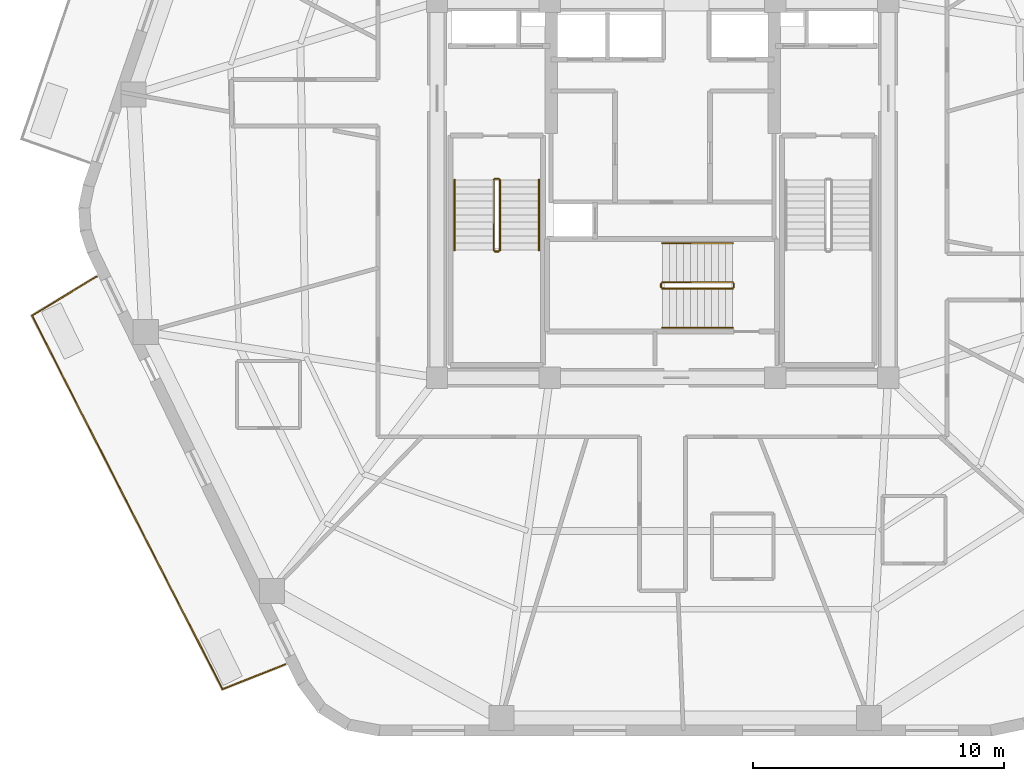
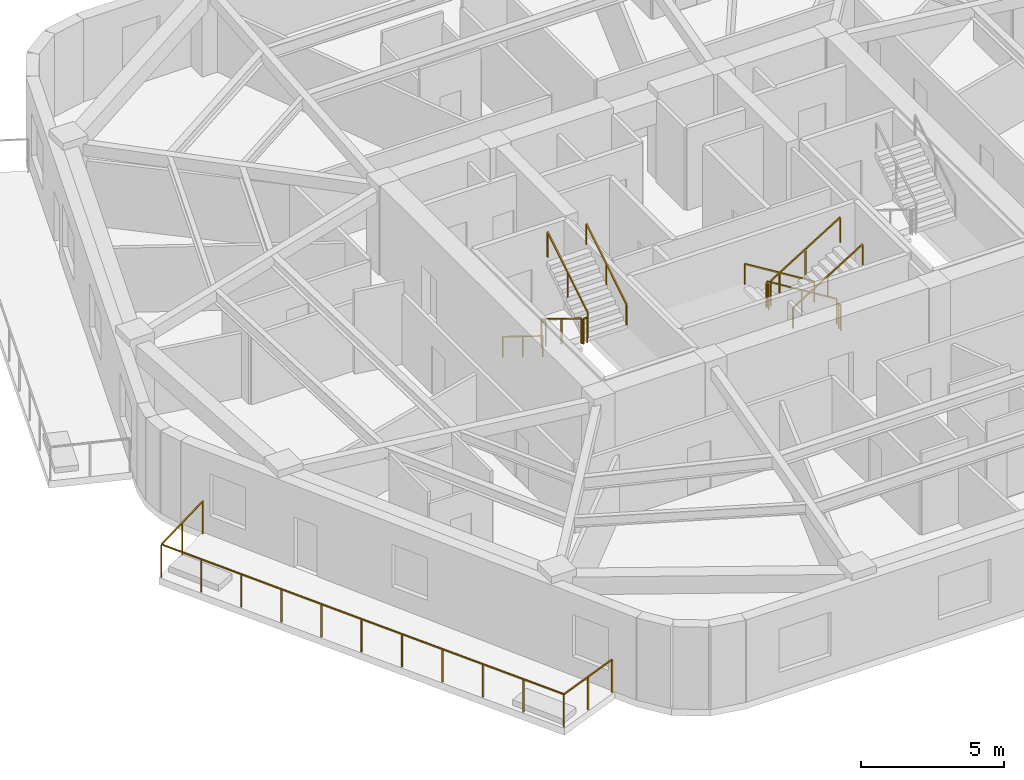
# One storey, part 7 of 9: 13 railings.
"""IFC4 building model written with IfcOpenShell, lengths in metres."""

import ifcopenshell
import ifcopenshell.guid

model = None  # the IFC model being written
_history = None  # IfcOwnerHistory: only IFC2X3 demands one
_inside = {}  # id of a spatial element -> (the spatial element, [elements in it])
_under = {}  # id of a project, library or spatial element -> (it, [spatial elements below it])
_declared = {}  # id of a project -> (the project, [libraries it declares])
_typed = {}  # id of a type object -> (the type object, [elements of that type])
_made_of = {}  # id of a material, layer set ... -> (it, [elements and type objects made of it])


def new_model(schema):
    """Start an empty IFC model of exactly this schema.

    Asked for "IFC4X3", IfcOpenShell would pick the latest addendum, in which some entities
    have other attributes; the version numbers below select the first issue.
    IFC2X3 requires an IfcOwnerHistory on every rooted entity: one is made here for all.
    """
    global model, _history
    if schema == "IFC4X3":
        model = ifcopenshell.file(schema_version=(4, 3, 0, 0))
    else:
        model = ifcopenshell.file(schema=schema)
    _inside.clear()
    _under.clear()
    _declared.clear()
    _typed.clear()
    _made_of.clear()
    _history = None
    if model.schema == "IFC2X3":
        org = make("IfcOrganization", Name="unknown")
        user = make(
            "IfcPersonAndOrganization",
            ThePerson=make("IfcPerson", FamilyName="unknown"),
            TheOrganization=org,
        )
        app = make(
            "IfcApplication",
            ApplicationDeveloper=org,
            Version="unknown",
            ApplicationFullName="unknown",
            ApplicationIdentifier="unknown",
        )
        _history = make(
            "IfcOwnerHistory",
            OwningUser=user,
            OwningApplication=app,
            ChangeAction="ADDED",
            CreationDate=0,
        )
    return model


def make(cls, **values):
    """One entity of the class cls with the attributes given. An attribute that is None is left unset."""
    return model.create_entity(
        cls, **{name: value for name, value in values.items() if value is not None}
    )


def rooted(cls, **values):
    """An entity with a GlobalId (a new one), such as an element, a storey or a relation."""
    return make(cls, GlobalId=ifcopenshell.guid.new(), OwnerHistory=_history, **values)


def si_unit(unit_type, name, prefix=None):
    """IfcSIUnit, for example si_unit("LENGTHUNIT", "METRE", prefix="MILLI")."""
    return make("IfcSIUnit", UnitType=unit_type, Prefix=prefix, Name=name)


def assignment(units):
    """IfcUnitAssignment: the units of a project."""
    return None if units is None else make("IfcUnitAssignment", Units=units)


def point(xyz):
    """IfcCartesianPoint."""
    return None if xyz is None else make("IfcCartesianPoint", Coordinates=xyz)


def direction(xyz):
    """IfcDirection."""
    return None if xyz is None else make("IfcDirection", DirectionRatios=xyz)


def frame(location, z_axis=None, x_axis=None):
    """IfcAxis2Placement3D, a coordinate frame: its origin and axes. An axis left out is left unset."""
    return make(
        "IfcAxis2Placement3D",
        Location=point(location),
        Axis=direction(z_axis),
        RefDirection=direction(x_axis),
    )


def frame_2d(location, x_axis=None):
    """IfcAxis2Placement2D, a coordinate frame in the plane: its origin and x axis."""
    return make(
        "IfcAxis2Placement2D", Location=point(location), RefDirection=direction(x_axis)
    )


def origin():
    """The frame at (0, 0, 0) with its axes left unset."""
    return frame((0.0, 0.0, 0.0))


def origin_2d():
    """The frame at (0, 0) in the plane with its x axis left unset."""
    return frame_2d((0.0, 0.0))


def place(relative_to, where):
    """IfcLocalPlacement: puts the frame where relative to a parent placement (None: the world)."""
    return make(
        "IfcLocalPlacement", PlacementRelTo=relative_to, RelativePlacement=where
    )


def context(
    kind, dimensions, precision=None, world=None, true_north=None, identifier=None
):
    """IfcGeometricRepresentationContext, for example the 3D "Model" context."""
    return make(
        "IfcGeometricRepresentationContext",
        ContextIdentifier=identifier,
        ContextType=kind,
        CoordinateSpaceDimension=dimensions,
        Precision=precision,
        WorldCoordinateSystem=world,
        TrueNorth=true_north,
    )


def subcontext(parent, identifier, kind, view, scale=None):
    """IfcGeometricRepresentationSubContext, for example "Body" below "Model"."""
    return make(
        "IfcGeometricRepresentationSubContext",
        ContextIdentifier=identifier,
        ContextType=kind,
        ParentContext=parent,
        TargetScale=scale,
        TargetView=view,
    )


def project(units=None, contexts=None):
    """IfcProject with its units and contexts."""
    return rooted(
        "IfcProject",
        Name="project",
        RepresentationContexts=contexts,
        UnitsInContext=assignment(units),
    )


def spatial(cls, under=None, at=None, **own):
    """A site, building, storey or space (cls), placed at a placement, below another one or the project."""
    s = rooted(cls, ObjectPlacement=at, **own)
    if under is not None:
        _under.setdefault(under.id(), (under, []))[1].append(s)
    return s


def profile(cls, at=None, kind="AREA", **sizes):
    """A parametric profile (cls). Its sizes go by their IFC names, for example OverallWidth=200.0."""
    return make(cls, ProfileType=kind, Position=at, **sizes)


def rectangle(**sizes):
    """IfcRectangleProfileDef."""
    return profile("IfcRectangleProfileDef", **sizes)


def extrude(swept, where, along, depth):
    """IfcExtrudedAreaSolid: the profile swept, set in the frame where, extruded along a direction by depth."""
    return make(
        "IfcExtrudedAreaSolid",
        SweptArea=swept,
        Position=where,
        ExtrudedDirection=direction(along),
        Depth=depth,
    )


def shape(context_of_items, identifier, shape_type, items):
    """IfcShapeRepresentation: the items that make up one representation, for example the "Body"."""
    return make(
        "IfcShapeRepresentation",
        ContextOfItems=context_of_items,
        RepresentationIdentifier=identifier,
        RepresentationType=shape_type,
        Items=items,
    )


def material(Name=None, Category=None):
    """IfcMaterial."""
    return make("IfcMaterial", Name=Name, Category=Category)


def layer(
    of_material, thickness, ventilated=None, Name=None, Category=None, Priority=None
):
    """IfcMaterialLayer: one layer of a wall or slab, of a material (None: an air gap)."""
    return make(
        "IfcMaterialLayer",
        Material=of_material,
        LayerThickness=thickness,
        IsVentilated=ventilated,
        Name=Name,
        Category=Category,
        Priority=Priority,
    )


def layer_set(layers, Name=None):
    """IfcMaterialLayerSet."""
    return make("IfcMaterialLayerSet", MaterialLayers=layers, LayerSetName=Name)


def made_of(thing, what):
    """Note that an element or type object is made of a material, layer set ...; save() writes the relation."""
    if what is not None:
        _made_of.setdefault(what.id(), (what, []))[1].append(thing)
    return thing


def type_object(cls, material=None, **own):
    """A type object (cls), such as IfcWallType, which elements share."""
    return made_of(rooted(cls, **own), material)


def element(
    cls,
    number,
    at=None,
    inside=None,
    cuts=None,
    type_object=None,
    material=None,
    context=None,
    identifier="Body",
    shape_type=None,
    held_by="IfcProductDefinitionShape",
    body=None,
    shapes=None,
    **own,
):
    """One element of the class cls, such as IfcWall. Its Tag is "e" and its number.

    at: its placement. inside: the storey or other place that contains it. cuts: it is an
    opening in that element (IfcRelVoidsElement). A single representation is given by context,
    identifier, shape_type and body (its items); several are given by shapes. held_by: the class
    of the entity that holds the representations. save() writes the other relations.
    """
    e = rooted(cls, Tag="e%d" % number, ObjectPlacement=at, **own)
    if body is not None:
        shapes = [shape(context, identifier, shape_type, body)]
    if shapes is not None:
        e.Representation = make(held_by, Representations=shapes)
    if inside is not None:
        _inside.setdefault(inside.id(), (inside, []))[1].append(e)
    if cuts is not None:
        rooted(
            "IfcRelVoidsElement", RelatingBuildingElement=cuts, RelatedOpeningElement=e
        )
    if type_object is not None:
        _typed.setdefault(type_object.id(), (type_object, []))[1].append(e)
    return made_of(e, material)


def aggregate(whole, parts):
    """IfcRelAggregates: a whole, such as a stair, and the parts it consists of."""
    return rooted("IfcRelAggregates", RelatingObject=whole, RelatedObjects=parts)


def save(model, path):
    """Write the relations noted so far, then the file.

    IfcRelAggregates (storeys below a building ...), IfcRelContainedInSpatialStructure (elements
    in a storey), IfcRelDefinesByType, IfcRelAssociatesMaterial and IfcRelDeclares: one each for
    every whole, place, type object, material and project.
    """
    for whole, parts in _under.values():
        aggregate(whole, parts)
    for where, things in _inside.values():
        rooted(
            "IfcRelContainedInSpatialStructure",
            RelatedElements=things,
            RelatingStructure=where,
        )
    for kind, things in _typed.values():
        rooted("IfcRelDefinesByType", RelatedObjects=things, RelatingType=kind)
    for what, things in _made_of.values():
        rooted("IfcRelAssociatesMaterial", RelatedObjects=things, RelatingMaterial=what)
    for by, libraries in _declared.values():
        rooted("IfcRelDeclares", RelatingContext=by, RelatedDefinitions=libraries)
    model.write(path)


model = new_model("IFC4")

# Units and contexts
model_context = context("Model", 3, precision=1e-05, world=origin(), true_north=direction((0.0, 1.0)))
body_context = subcontext(model_context, "Body", "Model", "MODEL_VIEW")
ifc_project = project(units=[si_unit("LENGTHUNIT", "METRE"), si_unit("AREAUNIT", "SQUARE_METRE"), si_unit("VOLUMEUNIT", "CUBIC_METRE"), si_unit("PLANEANGLEUNIT", "RADIAN"), si_unit("MASSUNIT", "GRAM", prefix="KILO")], contexts=[model_context])

# Site, building, storey
site_placement = place(None, origin())
site = spatial("IfcSite", under=ifc_project, at=site_placement, CompositionType="ELEMENT")
building_placement = place(site_placement, origin())
building = spatial("IfcBuilding", under=site, at=building_placement, Name="Kilnhurst Terrace Hotel", CompositionType="ELEMENT")
storey_placement = place(building_placement, frame((0.0, 0.0, 236.89990234375)))
storey = spatial("IfcBuildingStorey", under=building, at=storey_placement, Name="L59", CompositionType="ELEMENT", Elevation=236.89990234375)

# Railings
ifc_material_1 = material(Name="Laminated SentryGlas and Stainless Steel AISI 316L Balustrade", Category="steel")
ifc_layer_1 = layer(ifc_material_1, 0.070068359375, Name="Laminated SentryGlas and Stainless Steel AISI 316L Balustrade")
ifc_layer_set_1 = layer_set([ifc_layer_1], Name="Laminated SentryGlas and Stainless Steel AISI 316L Balustrade")
railing_type_1 = type_object("IfcRailingType", Name="RLG-BAL-1420", PredefinedType="BALUSTRADE", material=ifc_layer_set_1)
railing_1_placement = place(storey_placement, frame((-15.0546875, -18.933349609375, 0.0)))
element("IfcRailing", 1, at=railing_1_placement, inside=storey, type_object=railing_type_1, Name="L59 Exterior Terrace Guardrail BAL-L2B.1", PredefinedType="BALUSTRADE", context=body_context, shape_type="SweptSolid", body=[
    extrude(rectangle(XDim=0.048095703125, YDim=0.048095703125, at=origin_2d()), frame((0.0, 0.0, 1.39599609375), z_axis=(-0.929913162101, -0.367779160574, 0.0), x_axis=(0.367779160574, -0.929913162101, 0.0)), (0.0, 0.0, 1.0), 2.694580078125),
    extrude(rectangle(XDim=0.048095703125, YDim=0.048095703125, at=origin_2d()), frame((-2.505615234375, -0.990966796875, 1.39599609375), z_axis=(-0.455129479154, 0.890425267614, 0.0), x_axis=(-0.890425267614, -0.455129479154, 0.0)), (0.0, 0.0, 1.0), 8.4072265625),
    extrude(rectangle(XDim=0.048095703125, YDim=0.048095703125, at=origin_2d()), frame((-6.33203125, 6.4951171875, 1.39599609375), z_axis=(-0.45338853952, 0.891312982196, 0.0), x_axis=(-0.891312982196, -0.45338853952, 0.0)), (0.0, 0.0, 1.0), 8.320068359375),
    extrude(rectangle(XDim=0.048095703125, YDim=0.048095703125, at=origin_2d()), frame((-10.104248046875, 13.910888671875, 1.39599609375), z_axis=(0.854990626614, 0.518643450168, 0.0), x_axis=(-0.518643450168, 0.854990626614, 0.0)), (0.0, 0.0, 1.0), 3.008056640625),
    extrude(rectangle(XDim=0.0419921875, YDim=0.0419921875, at=origin_2d()), origin(), (0.0, 0.0, 1.0), 1.371826171875),
    extrude(rectangle(XDim=0.0419921875, YDim=0.0419921875, at=origin_2d()), frame((-1.2529296875, -0.49560546875, 0.0)), (0.0, 0.0, 1.0), 1.371826171875),
    extrude(rectangle(XDim=0.0419921875, YDim=0.0419921875, at=origin_2d()), frame((-2.505615234375, -0.990966796875, 0.0)), (0.0, 0.0, 1.0), 1.371826171875),
    extrude(rectangle(XDim=0.0419921875, YDim=0.0419921875, at=origin_2d()), frame((-3.27099609375, 0.50634765625, 0.0)), (0.0, 0.0, 1.0), 1.371826171875),
    extrude(rectangle(XDim=0.0419921875, YDim=0.0419921875, at=origin_2d()), frame((-4.0361328125, 2.00341796875, 0.0)), (0.0, 0.0, 1.0), 1.371826171875),
    extrude(rectangle(XDim=0.0419921875, YDim=0.0419921875, at=origin_2d()), frame((-4.801513671875, 3.500732421875, 0.0)), (0.0, 0.0, 1.0), 1.371826171875),
    extrude(rectangle(XDim=0.0419921875, YDim=0.0419921875, at=origin_2d()), frame((-5.566650390625, 4.997802734375, 0.0)), (0.0, 0.0, 1.0), 1.371826171875),
    extrude(rectangle(XDim=0.0419921875, YDim=0.0419921875, at=origin_2d()), frame((-6.33203125, 6.4951171875, 0.0)), (0.0, 0.0, 1.0), 1.371826171875),
    extrude(rectangle(XDim=0.0419921875, YDim=0.0419921875, at=origin_2d()), frame((-7.08642578125, 7.978271484375, 0.0)), (0.0, 0.0, 1.0), 1.371826171875),
    extrude(rectangle(XDim=0.0419921875, YDim=0.0419921875, at=origin_2d()), frame((-7.8408203125, 9.46142578125, 0.0)), (0.0, 0.0, 1.0), 1.371826171875),
    extrude(rectangle(XDim=0.0419921875, YDim=0.0419921875, at=origin_2d()), frame((-8.595458984375, 10.944580078125, 0.0)), (0.0, 0.0, 1.0), 1.371826171875),
    extrude(rectangle(XDim=0.0419921875, YDim=0.0419921875, at=origin_2d()), frame((-9.349853515625, 12.427734375, 0.0)), (0.0, 0.0, 1.0), 1.371826171875),
    extrude(rectangle(XDim=0.0419921875, YDim=0.0419921875, at=origin_2d()), frame((-10.104248046875, 13.910888671875, 0.0)), (0.0, 0.0, 1.0), 1.371826171875),
    extrude(rectangle(XDim=0.0419921875, YDim=0.0419921875, at=origin_2d()), frame((-8.818359375, 14.69091796875, 0.0)), (0.0, 0.0, 1.0), 1.371826171875),
    extrude(rectangle(XDim=0.0419921875, YDim=0.0419921875, at=origin_2d()), frame((-7.532470703125, 15.470947265625, 0.0)), (0.0, 0.0, 1.0), 1.371826171875),
])
ifc_material_2 = material(Name="Powder-Coated Steel ASTM A500 Grade B", Category="steel")
ifc_layer_2 = layer(ifc_material_2, 0.050048828125, Name="Powder-Coated Steel ASTM A500 Grade B")
ifc_layer_set_2 = layer_set([ifc_layer_2], Name="Powder-Coated Steel ASTM A500 Grade B")
railing_type_2 = type_object("IfcRailingType", Name="RLG-ST-GRD-1100", PredefinedType="GUARDRAIL", material=ifc_layer_set_2)
railing_2_placement = place(storey_placement, frame((-6.739990234375, 0.389892578125, 0.1728515625)))
element("IfcRailing", 2, at=railing_2_placement, inside=storey, type_object=railing_type_2, Name="L59 ST-1 stair guard 1", PredefinedType="GUARDRAIL", context=body_context, shape_type="SweptSolid", body=[
    extrude(rectangle(XDim=0.048095703125, YDim=0.048095703125, at=origin_2d()), frame((0.0, 0.0, 1.076171875), z_axis=(0.0, -0.851069175582, 0.525053576669), x_axis=(1.0, 0.0, 0.0)), (0.0, 0.0, 1.0), 3.289794921875),
    extrude(rectangle(XDim=0.0419921875, YDim=0.0419921875, at=origin_2d()), origin(), (0.0, 0.0, 1.0), 1.052001953125),
    extrude(rectangle(XDim=0.0419921875, YDim=0.0419921875, at=origin_2d()), frame((0.0, -1.39990234375, 0.86376953125)), (0.0, 0.0, 1.0), 1.052001953125),
    extrude(rectangle(XDim=0.0419921875, YDim=0.0419921875, at=origin_2d()), frame((0.0, -2.7998046875, 1.727294921875)), (0.0, 0.0, 1.0), 1.052001953125),
])
railing_3_placement = place(storey_placement, frame((-6.68994140625, -2.4599609375, 1.900146484375)))
element("IfcRailing", 3, at=railing_3_placement, inside=storey, type_object=railing_type_2, Name="L59 ST-1 stair guard 2", PredefinedType="GUARDRAIL", context=body_context, shape_type="SweptSolid", body=[
    extrude(rectangle(XDim=0.048095703125, YDim=0.048095703125, at=origin_2d()), frame((0.0, 0.0, 1.076171875), z_axis=(1.0, 0.0, 0.0), x_axis=(0.0, 1.0, 0.0)), (0.0, 0.0, 1.0), 0.14990234375),
    extrude(rectangle(XDim=0.0419921875, YDim=0.0419921875, at=origin_2d()), origin(), (0.0, 0.0, 1.0), 1.052001953125),
    extrude(rectangle(XDim=0.0419921875, YDim=0.0419921875, at=origin_2d()), frame((0.14990234375, 0.0, 0.0)), (0.0, 0.0, 1.0), 1.052001953125),
])
railing_4_placement = place(storey_placement, frame((-6.489990234375, -2.409912109375, 2.07275390625)))
element("IfcRailing", 4, at=railing_4_placement, inside=storey, type_object=railing_type_2, Name="L59 ST-1 stair guard 3", PredefinedType="GUARDRAIL", context=body_context, shape_type="SweptSolid", body=[
    extrude(rectangle(XDim=0.048095703125, YDim=0.048095703125, at=origin_2d()), frame((0.0, 0.0, 1.076171875), z_axis=(0.0, 0.851069175582, 0.525053576669), x_axis=(-1.0, 0.0, 0.0)), (0.0, 0.0, 1.0), 3.289794921875),
    extrude(rectangle(XDim=0.0419921875, YDim=0.0419921875, at=origin_2d()), origin(), (0.0, 0.0, 1.0), 1.052001953125),
    extrude(rectangle(XDim=0.0419921875, YDim=0.0419921875, at=origin_2d()), frame((0.0, 1.39990234375, 0.86376953125)), (0.0, 0.0, 1.0), 1.052001953125),
    extrude(rectangle(XDim=0.0419921875, YDim=0.0419921875, at=origin_2d()), frame((0.0, 2.7998046875, 1.727294921875)), (0.0, 0.0, 1.0), 1.052001953125),
])
railing_5_placement = place(storey_placement, frame((-6.68994140625, 0.43994140625, 0.0)))
element("IfcRailing", 5, at=railing_5_placement, inside=storey, type_object=railing_type_2, Name="L59 ST-1 stair guard 4", PredefinedType="GUARDRAIL", context=body_context, shape_type="SweptSolid", body=[
    extrude(rectangle(XDim=0.048095703125, YDim=0.048095703125, at=origin_2d()), frame((0.0, 0.0, 1.076171875), z_axis=(1.0, 0.0, 0.0), x_axis=(0.0, 1.0, 0.0)), (0.0, 0.0, 1.0), 0.14990234375),
    extrude(rectangle(XDim=0.0419921875, YDim=0.0419921875, at=origin_2d()), origin(), (0.0, 0.0, 1.0), 1.052001953125),
    extrude(rectangle(XDim=0.0419921875, YDim=0.0419921875, at=origin_2d()), frame((0.14990234375, 0.0, 0.0)), (0.0, 0.0, 1.0), 1.052001953125),
])
railing_6_placement = place(storey_placement, frame((2.7900390625, -3.68994140625, 0.1728515625)))
element("IfcRailing", 6, at=railing_6_placement, inside=storey, type_object=railing_type_2, Name="L59 ST-3 stair guard 1", PredefinedType="GUARDRAIL", context=body_context, shape_type="SweptSolid", body=[
    extrude(rectangle(XDim=0.048095703125, YDim=0.048095703125, at=origin_2d()), frame((0.0, 0.0, 1.076171875), z_axis=(-0.851089632645, 0.0, 0.525020415988), x_axis=(0.0, -1.0, 0.0)), (0.0, 0.0, 1.0), 3.2900390625),
    extrude(rectangle(XDim=0.0419921875, YDim=0.0419921875, at=origin_2d()), origin(), (0.0, 0.0, 1.0), 1.052001953125),
    extrude(rectangle(XDim=0.0419921875, YDim=0.0419921875, at=origin_2d()), frame((-1.39990234375, 0.0, 0.86376953125)), (0.0, 0.0, 1.0), 1.052001953125),
    extrude(rectangle(XDim=0.0419921875, YDim=0.0419921875, at=origin_2d()), frame((-2.800048828125, 0.0, 1.727294921875)), (0.0, 0.0, 1.0), 1.052001953125),
])
railing_7_placement = place(storey_placement, frame((-0.06005859375, -3.739990234375, 1.900146484375)))
element("IfcRailing", 7, at=railing_7_placement, inside=storey, type_object=railing_type_2, Name="L59 ST-3 stair guard 2", PredefinedType="GUARDRAIL", context=body_context, shape_type="SweptSolid", body=[
    extrude(rectangle(XDim=0.048095703125, YDim=0.048095703125, at=origin_2d()), frame((0.0, 0.0, 1.076171875), z_axis=(0.0, -1.0, 0.0), x_axis=(1.0, 0.0, 0.0)), (0.0, 0.0, 1.0), 0.14990234375),
    extrude(rectangle(XDim=0.0419921875, YDim=0.0419921875, at=origin_2d()), origin(), (0.0, 0.0, 1.0), 1.052001953125),
    extrude(rectangle(XDim=0.0419921875, YDim=0.0419921875, at=origin_2d()), frame((0.0, -0.14990234375, 0.0)), (0.0, 0.0, 1.0), 1.052001953125),
])
railing_8_placement = place(storey_placement, frame((-0.010009765625, -3.93994140625, 2.07275390625)))
element("IfcRailing", 8, at=railing_8_placement, inside=storey, type_object=railing_type_2, Name="L59 ST-3 stair guard 3", PredefinedType="GUARDRAIL", context=body_context, shape_type="SweptSolid", body=[
    extrude(rectangle(XDim=0.048095703125, YDim=0.048095703125, at=origin_2d()), frame((0.0, 0.0, 1.076171875), z_axis=(0.851089632645, 0.0, 0.525020415988), x_axis=(0.0, 1.0, 0.0)), (0.0, 0.0, 1.0), 3.2900390625),
    extrude(rectangle(XDim=0.0419921875, YDim=0.0419921875, at=origin_2d()), origin(), (0.0, 0.0, 1.0), 1.052001953125),
    extrude(rectangle(XDim=0.0419921875, YDim=0.0419921875, at=origin_2d()), frame((1.39990234375, 0.0, 0.86376953125)), (0.0, 0.0, 1.0), 1.052001953125),
    extrude(rectangle(XDim=0.0419921875, YDim=0.0419921875, at=origin_2d()), frame((2.800048828125, 0.0, 1.727294921875)), (0.0, 0.0, 1.0), 1.052001953125),
])
railing_9_placement = place(storey_placement, frame((2.840087890625, -3.739990234375, 0.0)))
element("IfcRailing", 9, at=railing_9_placement, inside=storey, type_object=railing_type_2, Name="L59 ST-3 stair guard 4", PredefinedType="GUARDRAIL", context=body_context, shape_type="SweptSolid", body=[
    extrude(rectangle(XDim=0.048095703125, YDim=0.048095703125, at=origin_2d()), frame((0.0, 0.0, 1.076171875), z_axis=(0.0, -1.0, 0.0), x_axis=(1.0, 0.0, 0.0)), (0.0, 0.0, 1.0), 0.14990234375),
    extrude(rectangle(XDim=0.0419921875, YDim=0.0419921875, at=origin_2d()), origin(), (0.0, 0.0, 1.0), 1.052001953125),
    extrude(rectangle(XDim=0.0419921875, YDim=0.0419921875, at=origin_2d()), frame((0.0, -0.14990234375, 0.0)), (0.0, 0.0, 1.0), 1.052001953125),
])
ifc_material_3 = material(Name="Brushed Stainless Steel AISI 304", Category="steel")
ifc_layer_3 = layer(ifc_material_3, 0.048095703125, Name="Brushed Stainless Steel AISI 304")
ifc_layer_set_3 = layer_set([ifc_layer_3], Name="Brushed Stainless Steel AISI 304")
railing_type_3 = type_object("IfcRailingType", Name="RLG-ST-HRL-900", PredefinedType="HANDRAIL", material=ifc_layer_set_3)
railing_10_placement = place(storey_placement, frame((-8.300048828125, 0.389892578125, 0.1728515625)))
element("IfcRailing", 10, at=railing_10_placement, inside=storey, type_object=railing_type_3, Name="L59 ST-1 stair handrail 1", PredefinedType="HANDRAIL", context=body_context, shape_type="SweptSolid", body=[
    extrude(rectangle(XDim=0.048095703125, YDim=0.048095703125, at=origin_2d()), frame((0.0, 0.0, 0.8759765625), z_axis=(0.0, -0.851069175582, 0.525053576669), x_axis=(1.0, 0.0, 0.0)), (0.0, 0.0, 1.0), 3.289794921875),
    extrude(rectangle(XDim=0.0419921875, YDim=0.0419921875, at=origin_2d()), origin(), (0.0, 0.0, 1.0), 0.851806640625),
    extrude(rectangle(XDim=0.0419921875, YDim=0.0419921875, at=origin_2d()), frame((0.0, -1.39990234375, 0.86376953125)), (0.0, 0.0, 1.0), 0.851806640625),
    extrude(rectangle(XDim=0.0419921875, YDim=0.0419921875, at=origin_2d()), frame((0.0, -2.7998046875, 1.727294921875)), (0.0, 0.0, 1.0), 0.851806640625),
])
railing_11_placement = place(storey_placement, frame((-4.929931640625, -2.409912109375, 2.07275390625)))
element("IfcRailing", 11, at=railing_11_placement, inside=storey, type_object=railing_type_3, Name="L59 ST-1 stair handrail 2", PredefinedType="HANDRAIL", context=body_context, shape_type="SweptSolid", body=[
    extrude(rectangle(XDim=0.048095703125, YDim=0.048095703125, at=origin_2d()), frame((0.0, 0.0, 0.8759765625), z_axis=(0.0, 0.851069175582, 0.525053576669), x_axis=(-1.0, 0.0, 0.0)), (0.0, 0.0, 1.0), 3.289794921875),
    extrude(rectangle(XDim=0.0419921875, YDim=0.0419921875, at=origin_2d()), origin(), (0.0, 0.0, 1.0), 0.851806640625),
    extrude(rectangle(XDim=0.0419921875, YDim=0.0419921875, at=origin_2d()), frame((0.0, 1.39990234375, 0.86376953125)), (0.0, 0.0, 1.0), 0.851806640625),
    extrude(rectangle(XDim=0.0419921875, YDim=0.0419921875, at=origin_2d()), frame((0.0, 2.7998046875, 1.727294921875)), (0.0, 0.0, 1.0), 0.851806640625),
])
railing_12_placement = place(storey_placement, frame((2.7900390625, -2.1298828125, 0.1728515625)))
element("IfcRailing", 12, at=railing_12_placement, inside=storey, type_object=railing_type_3, Name="L59 ST-3 stair handrail 1", PredefinedType="HANDRAIL", context=body_context, shape_type="SweptSolid", body=[
    extrude(rectangle(XDim=0.048095703125, YDim=0.048095703125, at=origin_2d()), frame((0.0, 0.0, 0.8759765625), z_axis=(-0.851089632645, 0.0, 0.525020415988), x_axis=(0.0, -1.0, 0.0)), (0.0, 0.0, 1.0), 3.2900390625),
    extrude(rectangle(XDim=0.0419921875, YDim=0.0419921875, at=origin_2d()), origin(), (0.0, 0.0, 1.0), 0.851806640625),
    extrude(rectangle(XDim=0.0419921875, YDim=0.0419921875, at=origin_2d()), frame((-1.39990234375, 0.0, 0.86376953125)), (0.0, 0.0, 1.0), 0.851806640625),
    extrude(rectangle(XDim=0.0419921875, YDim=0.0419921875, at=origin_2d()), frame((-2.800048828125, 0.0, 1.727294921875)), (0.0, 0.0, 1.0), 0.851806640625),
])
railing_13_placement = place(storey_placement, frame((-0.010009765625, -5.5, 2.07275390625)))
element("IfcRailing", 13, at=railing_13_placement, inside=storey, type_object=railing_type_3, Name="L59 ST-3 stair handrail 2", PredefinedType="HANDRAIL", context=body_context, shape_type="SweptSolid", body=[
    extrude(rectangle(XDim=0.048095703125, YDim=0.048095703125, at=origin_2d()), frame((0.0, 0.0, 0.8759765625), z_axis=(0.851089632645, 0.0, 0.525020415988), x_axis=(0.0, 1.0, 0.0)), (0.0, 0.0, 1.0), 3.2900390625),
    extrude(rectangle(XDim=0.0419921875, YDim=0.0419921875, at=origin_2d()), origin(), (0.0, 0.0, 1.0), 0.851806640625),
    extrude(rectangle(XDim=0.0419921875, YDim=0.0419921875, at=origin_2d()), frame((1.39990234375, 0.0, 0.86376953125)), (0.0, 0.0, 1.0), 0.851806640625),
    extrude(rectangle(XDim=0.0419921875, YDim=0.0419921875, at=origin_2d()), frame((2.800048828125, 0.0, 1.727294921875)), (0.0, 0.0, 1.0), 0.851806640625),
])

save(model, "model.ifc")
